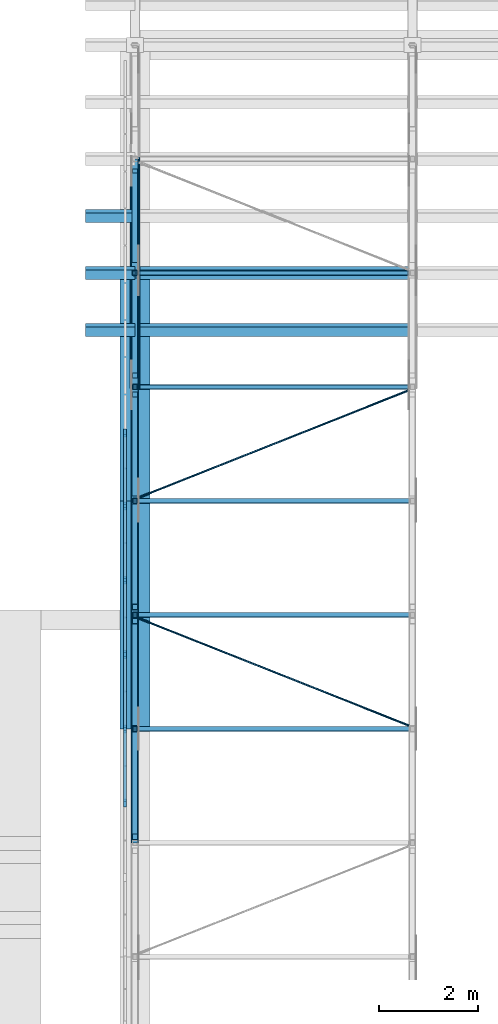
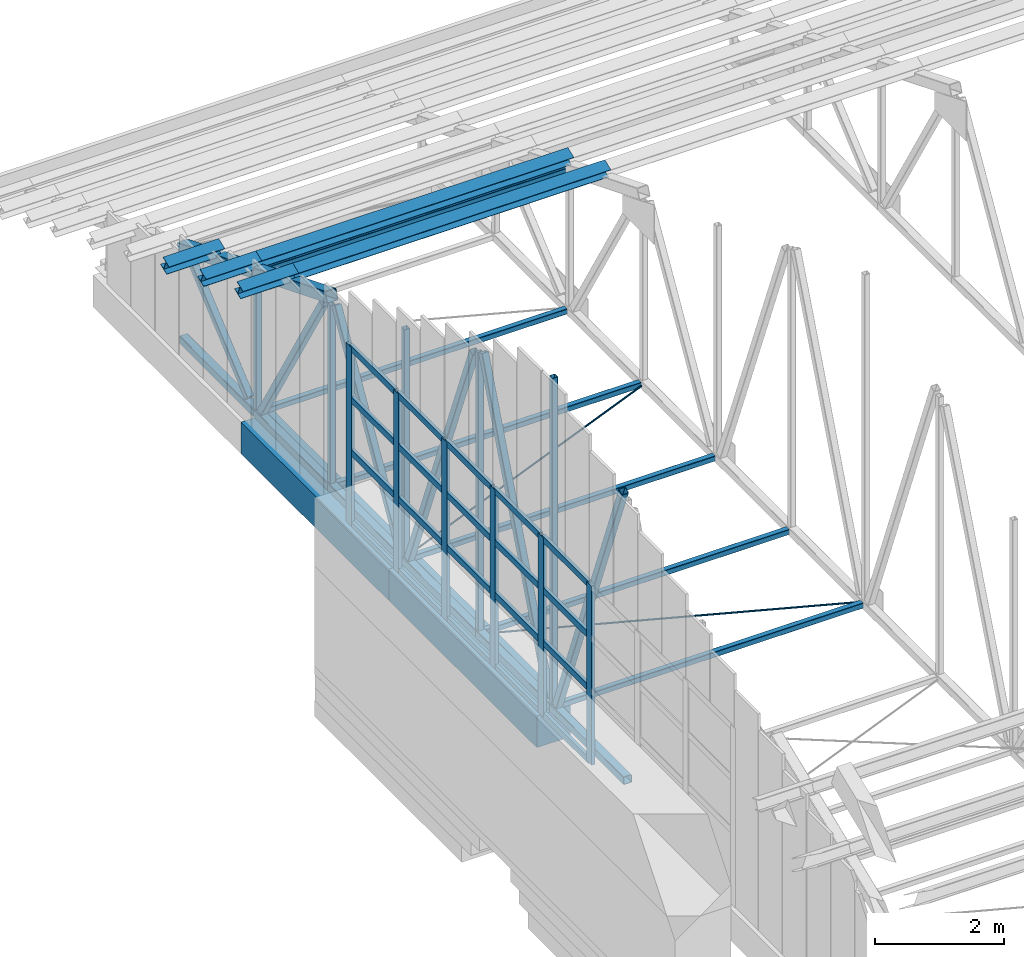
# One storey, part 10 of 71: 58 members, 2 beams, 1 element without a shape of its own.
"""IFC4 building model written with IfcOpenShell, lengths in metres."""

from ifc_helpers import new_model, si_unit, direction, frame, origin, origin_2d, place, context, subcontext, project, spatial, rectangle, hollow_rectangle, circle, i_section, extrude, material, layer, layer_set, material_profile, profile_set, type_object, element, aggregate, save


model = new_model("IFC4")

# Units and contexts
model_context = context("Model", 3, precision=1e-05, world=origin(), true_north=direction((0.0, 1.0)))
body_context = subcontext(model_context, "Body", "Model", "MODEL_VIEW")
ifc_project = project(units=[si_unit("LENGTHUNIT", "METRE"), si_unit("AREAUNIT", "SQUARE_METRE"), si_unit("VOLUMEUNIT", "CUBIC_METRE"), si_unit("PLANEANGLEUNIT", "RADIAN"), si_unit("MASSUNIT", "GRAM", prefix="KILO")], contexts=[model_context])

# Site, building, storey
site_placement = place(None, origin())
site = spatial("IfcSite", under=ifc_project, at=site_placement, CompositionType="ELEMENT")
building_placement = place(site_placement, origin())
building = spatial("IfcBuilding", under=site, at=building_placement, Name="Wasatch Bagh Community Centre", CompositionType="ELEMENT")
storey_placement = place(building_placement, frame((0.0, 0.0, 12.60009765625)))
storey = spatial("IfcBuildingStorey", under=building, at=storey_placement, Name="L03", CompositionType="ELEMENT", Elevation=12.60009765625)

# Members
ifc_material_1 = material(Name="ASTM A500 Grade C steel", Category="steel")
ifc_material_profile_1 = material_profile(ifc_material_1, hollow_rectangle(XDim=0.1015625, YDim=0.1015625, WallThickness=0.005859375, InnerFilletRadius=0.005859375, OuterFilletRadius=0.01171875, at=origin_2d()), Name="HSS4x4x1/4")
ifc_profile_set_1 = profile_set([ifc_material_profile_1], Name="ASTM A500 Grade C steel")
member_type_1 = type_object("IfcMemberType", Name="SH HSS4x4x1/4 post", PredefinedType="POST", material=ifc_profile_set_1)
member_1_placement = place(storey_placement, frame((112.199951171875, 52.0, 0.76220703125), z_axis=(0.0, 0.0, 1.0), x_axis=(1.0, 0.0, 0.0)))
element("IfcMember", 1, at=member_1_placement, inside=storey, type_object=member_type_1, Name="SH.SA1.PS07", PredefinedType="POST", context=body_context, shape_type="SweptSolid", body=[
    extrude(hollow_rectangle(XDim=0.1015625, YDim=0.1015625, WallThickness=0.005859375, InnerFilletRadius=0.005859375, OuterFilletRadius=0.01171875, at=origin_2d()), origin(), (0.0, 0.0, 1.0), 6.18310546875),
])
member_2_placement = place(storey_placement, frame((112.199951171875, 54.300048828125, 0.76220703125), z_axis=(0.0, 0.0, 1.0), x_axis=(1.0, 0.0, 0.0)))
element("IfcMember", 2, at=member_2_placement, inside=storey, type_object=member_type_1, Name="SH.SA1.PS08", PredefinedType="POST", context=body_context, shape_type="SweptSolid", body=[
    extrude(hollow_rectangle(XDim=0.1015625, YDim=0.1015625, WallThickness=0.005859375, InnerFilletRadius=0.005859375, OuterFilletRadius=0.01171875, at=origin_2d()), origin(), (0.0, 0.0, 1.0), 5.25341796875),
])
member_3_placement = place(storey_placement, frame((112.199951171875, 56.60009765625, 0.76220703125), z_axis=(0.0, 0.0, 1.0), x_axis=(1.0, 0.0, 0.0)))
element("IfcMember", 3, at=member_3_placement, inside=storey, type_object=member_type_1, Name="SH.SA1.PS09", PredefinedType="POST", context=body_context, shape_type="SweptSolid", body=[
    extrude(hollow_rectangle(XDim=0.1015625, YDim=0.1015625, WallThickness=0.005859375, InnerFilletRadius=0.005859375, OuterFilletRadius=0.01171875, at=origin_2d()), origin(), (0.0, 0.0, 1.0), 4.316162109375),
])
member_4_placement = place(storey_placement, frame((112.199951171875, 58.89990234375, 0.76220703125), z_axis=(0.0, 0.0, 1.0), x_axis=(1.0, 0.0, 0.0)))
element("IfcMember", 4, at=member_4_placement, inside=storey, type_object=member_type_1, Name="SH.SA1.PS10", PredefinedType="POST", context=body_context, shape_type="SweptSolid", body=[
    extrude(hollow_rectangle(XDim=0.1015625, YDim=0.1015625, WallThickness=0.005859375, InnerFilletRadius=0.005859375, OuterFilletRadius=0.01171875, at=origin_2d()), origin(), (0.0, 0.0, 1.0), 3.37890625),
])
member_5_placement = place(storey_placement, frame((112.199951171875, 61.199951171875, 0.76220703125), z_axis=(0.0, 0.0, 1.0), x_axis=(1.0, 0.0, 0.0)))
element("IfcMember", 5, at=member_5_placement, inside=storey, type_object=member_type_1, Name="SH.SA1.PS11", PredefinedType="POST", context=body_context, shape_type="SweptSolid", body=[
    extrude(hollow_rectangle(XDim=0.1015625, YDim=0.1015625, WallThickness=0.005859375, InnerFilletRadius=0.005859375, OuterFilletRadius=0.01171875, at=origin_2d()), origin(), (0.0, 0.0, 1.0), 2.44189453125),
])
ifc_material_profile_2 = material_profile(ifc_material_1, hollow_rectangle(XDim=0.1015625, YDim=0.1015625, WallThickness=0.005859375, InnerFilletRadius=0.005859375, OuterFilletRadius=0.01171875, at=origin_2d()), Name="HSS4x4x1/4")
ifc_profile_set_2 = profile_set([ifc_material_profile_2], Name="ASTM A500 Grade C steel")
member_type_2 = type_object("IfcMemberType", Name="SH HSS4x4x1/4 strut", PredefinedType="STRUT", material=ifc_profile_set_2)
member_6_placement = place(storey_placement, frame((112.29541015625, 61.199951171875, 3.35888671875), z_axis=(1.0, 0.0, 0.0), x_axis=(0.0, 1.0, 0.0)))
element("IfcMember", 6, at=member_6_placement, inside=storey, type_object=member_type_2, Name="SH.BR.wT.ST11W", PredefinedType="STRUT", context=body_context, shape_type="SweptSolid", body=[
    extrude(hollow_rectangle(XDim=0.1015625, YDim=0.1015625, WallThickness=0.005859375, InnerFilletRadius=0.005859375, OuterFilletRadius=0.01171875, at=origin_2d()), origin(), (0.0, 0.0, 1.0), 5.4091796875),
])
for number, where, z_axis, x_axis, name in (
    (7, (112.27001953125, 52.0, 0.68603515625), (1.0, 0.0, 0.0), (0.0, 1.0, 0.0), "SH.BR.wB.ST07W"),
    (8, (112.27001953125, 54.300048828125, 0.68603515625), (1.0, 0.0, 0.0), (0.0, 1.0, 0.0), "SH.BR.wB.ST07E"),
    (9, (112.27001953125, 56.60009765625, 0.68603515625), (1.0, 0.0, 0.0), (0.0, 1.0, 0.0), "SH.BR.wB.ST09W"),
    (10, (112.27001953125, 58.89990234375, 0.68603515625), (1.0, 0.0, 0.0), (0.0, 1.0, 0.0), "SH.BR.wB.ST09E"),
    (11, (112.27001953125, 61.199951171875, 0.68603515625), (1.0, 0.0, 0.0), (0.0, 1.0, 0.0), "SH.BR.wB.ST11W"),
):
    element("IfcMember", number, at=place(storey_placement, frame(where, z_axis=z_axis, x_axis=x_axis)), inside=storey, type_object=member_type_2, Name=name, PredefinedType="STRUT", context=body_context, shape_type="SweptSolid", body=[
        extrude(hollow_rectangle(XDim=0.1015625, YDim=0.1015625, WallThickness=0.005859375, InnerFilletRadius=0.005859375, OuterFilletRadius=0.01171875, at=origin_2d()), origin(), (0.0, 0.0, 1.0), 5.4599609375),
    ])
ifc_material_profile_3 = material_profile(ifc_material_1, hollow_rectangle(XDim=0.126953125, YDim=0.126953125, WallThickness=0.00732421875, InnerFilletRadius=0.00732421875, OuterFilletRadius=0.0146484375, at=origin_2d()), Name="HSS5x5x5/16")
ifc_profile_set_3 = profile_set([ifc_material_profile_3], Name="ASTM A500 Grade C steel")
member_type_3 = type_object("IfcMemberType", Name="SH HSS5x5x5/16 brace", PredefinedType="BRACE", material=ifc_profile_set_3)
for number, where, z_axis, x_axis, name in (
    (12, (112.199951171875, 51.875732421875, 0.78564453125), (0.0, -0.361168854057, 0.932500433705), (1.0, 0.0, 0.0), "SH.SA1.WB06"),
    (13, (112.199951171875, 52.124267578125, 0.78564453125), (0.0, 0.361168854057, 0.932500433705), (-1.0, 0.0, 0.0), "SH.SA1.WB07"),
):
    element("IfcMember", number, at=place(storey_placement, frame(where, z_axis=z_axis, x_axis=x_axis)), inside=storey, type_object=member_type_3, Name=name, PredefinedType="BRACE", context=body_context, shape_type="SweptSolid", body=[
        extrude(hollow_rectangle(XDim=0.126953125, YDim=0.126953125, WallThickness=0.00732421875, InnerFilletRadius=0.00732421875, OuterFilletRadius=0.0146484375, at=origin_2d()), origin(), (0.0, 0.0, 1.0), 5.682861328125),
    ])
member_7_placement = place(storey_placement, frame((112.199951171875, 56.47509765625, 0.785888671875), z_axis=(0.0, -0.365198017435, 0.930929862053), x_axis=(1.0, 0.0, 0.0)))
element("IfcMember", 14, at=member_7_placement, inside=storey, type_object=member_type_3, Name="SH.SA1.WB08", PredefinedType="BRACE", context=body_context, shape_type="SweptSolid", body=[
    extrude(hollow_rectangle(XDim=0.126953125, YDim=0.126953125, WallThickness=0.00732421875, InnerFilletRadius=0.00732421875, OuterFilletRadius=0.0146484375, at=origin_2d()), origin(), (0.0, 0.0, 1.0), 5.52001953125),
])
member_8_placement = place(storey_placement, frame((112.199951171875, 56.75244140625, 0.794677734375), z_axis=(0.0, 0.50383651599, 0.863799030536), x_axis=(-1.0, 0.0, 0.0)))
element("IfcMember", 15, at=member_8_placement, inside=storey, type_object=member_type_3, Name="SH.SA1.WB09", PredefinedType="BRACE", context=body_context, shape_type="SweptSolid", body=[
    extrude(hollow_rectangle(XDim=0.126953125, YDim=0.126953125, WallThickness=0.00732421875, InnerFilletRadius=0.00732421875, OuterFilletRadius=0.0146484375, at=origin_2d()), origin(), (0.0, 0.0, 1.0), 3.958984375),
])
member_9_placement = place(storey_placement, frame((112.199951171875, 61.046142578125, 0.795166015625), z_axis=(0.0, -0.5113669513, 0.859362462014), x_axis=(1.0, 0.0, 0.0)))
element("IfcMember", 16, at=member_9_placement, inside=storey, type_object=member_type_3, Name="SH.SA1.WB10", PredefinedType="BRACE", context=body_context, shape_type="SweptSolid", body=[
    extrude(hollow_rectangle(XDim=0.126953125, YDim=0.126953125, WallThickness=0.00732421875, InnerFilletRadius=0.00732421875, OuterFilletRadius=0.0146484375, at=origin_2d()), origin(), (0.0, 0.0, 1.0), 3.744873046875),
])
member_10_placement = place(storey_placement, frame((112.199951171875, 61.4501953125, 0.81103515625), z_axis=(0.0, 0.760719100191, 0.649081235751), x_axis=(-1.0, 0.0, 0.0)))
element("IfcMember", 17, at=member_10_placement, inside=storey, type_object=member_type_3, Name="SH.SA1.WB11", PredefinedType="BRACE", context=body_context, shape_type="SweptSolid", body=[
    extrude(hollow_rectangle(XDim=0.126953125, YDim=0.126953125, WallThickness=0.00732421875, InnerFilletRadius=0.00732421875, OuterFilletRadius=0.0146484375, at=origin_2d()), origin(), (0.0, 0.0, 1.0), 2.377197265625),
])
ifc_material_profile_4 = material_profile(ifc_material_1, hollow_rectangle(XDim=0.15234375, YDim=0.15234375, WallThickness=0.0087890625, InnerFilletRadius=0.0087890625, OuterFilletRadius=0.017822265625, at=origin_2d()), Name="HSS6x6x3/8")
ifc_profile_set_4 = profile_set([ifc_material_profile_4], Name="ASTM A500 Grade C steel")
member_type_4 = type_object("IfcMemberType", Name="SH HSS6x6x3/8 chord", PredefinedType="CHORD", material=ifc_profile_set_4)
for number, where, z_axis, x_axis, name in (
    (18, (112.199951171875, 49.699951171875, 0.68603515625), (0.0, 1.0, 0.0), (-1.0, 0.0, 0.0), "SH.SA1.BC06"),
    (19, (112.199951171875, 52.0, 0.68603515625), (0.0, 1.0, 0.0), (-1.0, 0.0, 0.0), "SH.SA1.BC07"),
    (20, (112.199951171875, 54.300048828125, 0.68603515625), (0.0, 1.0, 0.0), (-1.0, 0.0, 0.0), "SH.SA1.BC08"),
):
    element("IfcMember", number, at=place(storey_placement, frame(where, z_axis=z_axis, x_axis=x_axis)), inside=storey, type_object=member_type_4, Name=name, PredefinedType="CHORD", context=body_context, shape_type="SweptSolid", body=[
        extrude(hollow_rectangle(XDim=0.15234375, YDim=0.15234375, WallThickness=0.0087890625, InnerFilletRadius=0.0087890625, OuterFilletRadius=0.017822265625, at=origin_2d()), origin(), (0.0, 0.0, 1.0), 2.300048828125),
    ])
member_11_placement = place(storey_placement, frame((112.199951171875, 56.60009765625, 0.68603515625), z_axis=(0.0, 1.0, 0.0), x_axis=(-1.0, 0.0, 0.0)))
element("IfcMember", 21, at=member_11_placement, inside=storey, type_object=member_type_4, Name="SH.SA1.BC09", PredefinedType="CHORD", context=body_context, shape_type="SweptSolid", body=[
    extrude(hollow_rectangle(XDim=0.15234375, YDim=0.15234375, WallThickness=0.0087890625, InnerFilletRadius=0.0087890625, OuterFilletRadius=0.017822265625, at=origin_2d()), origin(), (0.0, 0.0, 1.0), 2.2998046875),
])
for number, where, z_axis, x_axis, name in (
    (22, (112.199951171875, 58.89990234375, 0.68603515625), (0.0, 1.0, 0.0), (-1.0, 0.0, 0.0), "SH.SA1.BC10"),
    (23, (112.199951171875, 61.199951171875, 0.68603515625), (0.0, 1.0, 0.0), (-1.0, 0.0, 0.0), "SH.SA1.BC11"),
):
    element("IfcMember", number, at=place(storey_placement, frame(where, z_axis=z_axis, x_axis=x_axis)), inside=storey, type_object=member_type_4, Name=name, PredefinedType="CHORD", context=body_context, shape_type="SweptSolid", body=[
        extrude(hollow_rectangle(XDim=0.15234375, YDim=0.15234375, WallThickness=0.0087890625, InnerFilletRadius=0.0087890625, OuterFilletRadius=0.017822265625, at=origin_2d()), origin(), (0.0, 0.0, 1.0), 2.300048828125),
    ])
ifc_material_profile_5 = material_profile(ifc_material_1, hollow_rectangle(XDim=0.203125, YDim=0.203125, WallThickness=0.01171875, InnerFilletRadius=0.01171875, OuterFilletRadius=0.023681640625, at=origin_2d()), Name="HSS8x8x1/2")
ifc_profile_set_5 = profile_set([ifc_material_profile_5], Name="ASTM A500 Grade C steel")
member_type_5 = type_object("IfcMemberType", Name="SH HSS8x8x1/2 chord", PredefinedType="CHORD", material=ifc_profile_set_5)
member_12_placement = place(storey_placement, frame((112.199951171875, 58.900390625, 4.287841796875), z_axis=(0.0, 0.92720830339, -0.374546074769), x_axis=(-1.0, 0.0, 0.0)))
element("IfcMember", 24, at=member_12_placement, inside=storey, type_object=member_type_5, Name="SH.SA1.TC11", PredefinedType="CHORD", context=body_context, shape_type="SweptSolid", body=[
    extrude(hollow_rectangle(XDim=0.203125, YDim=0.203125, WallThickness=0.01171875, InnerFilletRadius=0.01171875, OuterFilletRadius=0.023681640625, at=origin_2d()), origin(), (0.0, 0.0, 1.0), 2.4794921875),
])
member_13_placement = place(storey_placement, frame((112.199951171875, 61.200439453125, 3.358642578125), z_axis=(0.0, 0.927174106992, -0.374630718605), x_axis=(-1.0, 0.0, 0.0)))
element("IfcMember", 25, at=member_13_placement, inside=storey, type_object=member_type_5, Name="SH.SA1.TC12", PredefinedType="CHORD", context=body_context, shape_type="SweptSolid", body=[
    extrude(hollow_rectangle(XDim=0.203125, YDim=0.203125, WallThickness=0.01171875, InnerFilletRadius=0.01171875, OuterFilletRadius=0.023681640625, at=origin_2d()), origin(), (0.0, 0.0, 1.0), 2.479736328125),
])

# Beams
ifc_material_2 = material(Name="Concrete C40", Category="concrete")
ifc_material_profile_6 = material_profile(ifc_material_2, rectangle(XDim=0.60009765625, YDim=0.60009765625, at=origin_2d()), Name="RC 600x600")
ifc_profile_set_6 = profile_set([ifc_material_profile_6], Name="Concrete C40")
beam_type = type_object("IfcBeamType", Name="SH RC 600x600 beam", PredefinedType="BEAM", material=ifc_profile_set_6)
beam_1_placement = place(storey_placement, frame((112.199951171875, 52.0, 0.2998046875), z_axis=(0.0, 1.0, 0.0), x_axis=(-1.0, 0.0, 0.0)))
element("IfcBeam", 26, at=beam_1_placement, inside=storey, type_object=beam_type, Name="SH.beam.L03.ring16", PredefinedType="BEAM", context=body_context, shape_type="SweptSolid", body=[
    extrude(rectangle(XDim=0.60009765625, YDim=0.60009765625, at=origin_2d()), origin(), (0.0, 0.0, 1.0), 4.60009765625),
])
beam_2_placement = place(storey_placement, frame((112.199951171875, 56.60009765625, 0.2998046875), z_axis=(0.0, 1.0, 0.0), x_axis=(-1.0, 0.0, 0.0)))
element("IfcBeam", 27, at=beam_2_placement, inside=storey, type_object=beam_type, Name="SH.beam.L03.ring17", PredefinedType="BEAM", context=body_context, shape_type="SweptSolid", body=[
    extrude(rectangle(XDim=0.60009765625, YDim=0.60009765625, at=origin_2d()), origin(), (0.0, 0.0, 1.0), 4.599853515625),
])

# Members
ifc_material_3 = material(Name="ASTM A572 Grade 50 steel", Category="steel")
ifc_material_profile_7 = material_profile(ifc_material_3, circle(Radius=0.01611328125, at=origin_2d()), Name="ROD 32")
ifc_profile_set_7 = profile_set([ifc_material_profile_7], Name="ASTM A572 Grade 50 steel")
member_type_6 = type_object("IfcMemberType", Name="SH ROD 32 brace", PredefinedType="BRACE", material=ifc_profile_set_7)
member_14_placement = place(storey_placement, frame((112.27587890625, 54.232177734375, 0.68603515625), z_axis=(0.929355805049, -0.369185302553, 0.0), x_axis=(0.369185302553, 0.929355805049, 0.0)))
element("IfcMember", 28, at=member_14_placement, inside=storey, type_object=member_type_6, Name="SH.BR.wB.DG07", PredefinedType="BRACE", context=body_context, shape_type="SweptSolid", body=[
    extrude(circle(Radius=0.01611328125, at=origin_2d()), origin(), (0.0, 0.0, 1.0), 5.8623046875),
])
member_15_placement = place(storey_placement, frame((112.27587890625, 56.667724609375, 0.68603515625), z_axis=(0.929341515894, 0.369221270833, 0.0), x_axis=(-0.369221270833, 0.929341515894, 0.0)))
element("IfcMember", 29, at=member_15_placement, inside=storey, type_object=member_type_6, Name="SH.BR.wB.DG09", PredefinedType="BRACE", context=body_context, shape_type="SweptSolid", body=[
    extrude(circle(Radius=0.01611328125, at=origin_2d()), origin(), (0.0, 0.0, 1.0), 5.862548828125),
])
ifc_material_4 = material(Name="ASTM A992 Grade 50 steel", Category="steel")
ifc_material_profile_8 = material_profile(ifc_material_4, i_section(OverallWidth=0.203125, OverallDepth=0.203125, WebThickness=0.00732421875, FlangeThickness=0.010986328125, at=origin_2d()), Name="W8x31")
ifc_profile_set_8 = profile_set([ifc_material_profile_8], Name="ASTM A992 Grade 50 steel")
member_type_7 = type_object("IfcMemberType", Name="SH W8x31 purlin", PredefinedType="PURLIN", material=ifc_profile_set_8)
for number, where, z_axis, x_axis, name in (
    (30, (112.199951171875, 60.050048828125, 4.042724609375), (1.0, 0.0, 0.0), (0.0, 0.927183854567, 0.374606593416), "SH.PUR.b1.PU23"),
    (31, (112.199951171875, 61.199951171875, 3.577880859375), (1.0, 0.0, 0.0), (0.0, 0.927183854567, 0.374606593416), "SH.PUR.b1.PU24"),
):
    element("IfcMember", number, at=place(storey_placement, frame(where, z_axis=z_axis, x_axis=x_axis)), inside=storey, type_object=member_type_7, Name=name, PredefinedType="PURLIN", context=body_context, shape_type="SweptSolid", body=[
        extrude(i_section(OverallWidth=0.203125, OverallDepth=0.203125, WebThickness=0.00732421875, FlangeThickness=0.010986328125, at=origin_2d()), origin(), (0.0, 0.0, 1.0), 5.60009765625),
    ])
for number, where, z_axis, x_axis, name in (
    (32, (111.199951171875, 60.050048828125, 4.042724609375), (1.0, 0.0, 0.0), (0.0, 0.927183854567, 0.374606593416), "SH.PUR.v1.PU23"),
    (33, (111.199951171875, 61.199951171875, 3.577880859375), (1.0, 0.0, 0.0), (0.0, 0.927183854567, 0.374606593416), "SH.PUR.v1.PU24"),
    (34, (111.199951171875, 62.35009765625, 3.11328125), (1.0, 0.0, 0.0), (0.0, 0.927183854567, 0.374606593416), "SH.PUR.v1.PU25"),
):
    element("IfcMember", number, at=place(storey_placement, frame(where, z_axis=z_axis, x_axis=x_axis)), inside=storey, type_object=member_type_7, Name=name, PredefinedType="PURLIN", context=body_context, shape_type="SweptSolid", body=[
        extrude(i_section(OverallWidth=0.203125, OverallDepth=0.203125, WebThickness=0.00732421875, FlangeThickness=0.010986328125, at=origin_2d()), origin(), (0.0, 0.0, 1.0), 1.0),
    ])

# Curtain wall, members
ifc_material_5 = material(Name="Aluminium alloy 6063-T6", Category="aluminium")
ifc_layer = layer(ifc_material_5, 0.10009765625)
ifc_layer_set = layer_set([ifc_layer], Name="Aluminium alloy 6063-T6")
curtain_wall_type = type_object("IfcCurtainWallType", Name="SH-CW2", PredefinedType="NOTDEFINED", material=ifc_layer_set)
curtain_wall_placement = place(storey_placement, origin())
curtain_wall = element("IfcCurtainWall", 35, at=curtain_wall_placement, inside=storey, type_object=curtain_wall_type, Name="Curtain wall SH-CW2", PredefinedType="NOTDEFINED")
ifc_material_profile_9 = material_profile(ifc_material_5, rectangle(XDim=0.06005859375, YDim=0.159912109375, at=origin_2d()), Name="AL 60x160")
ifc_profile_set_9 = profile_set([ifc_material_profile_9], Name="Aluminium alloy 6063-T6")
member_type_8 = type_object("IfcMemberType", Name="SH-CW2 mullion", PredefinedType="MULLION", material=ifc_profile_set_9)
member_16_placement = place(storey_placement, frame((112.0, 50.5, 0.599853515625), z_axis=(0.0, 0.0, 1.0), x_axis=(-1.0, 0.0, 0.0)))
member_16 = element("IfcMember", 36, at=member_16_placement, type_object=member_type_8, Name="SH-CW2 mullion 4", PredefinedType="MULLION", context=body_context, shape_type="SweptSolid", body=[
    extrude(rectangle(XDim=0.06005859375, YDim=0.159912109375, at=origin_2d()), origin(), (0.0, 0.0, 1.0), 3.400146484375),
])
member_17_placement = place(storey_placement, frame((112.0, 52.0, 0.599853515625), z_axis=(0.0, 0.0, 1.0), x_axis=(-1.0, 0.0, 0.0)))
member_17 = element("IfcMember", 37, at=member_17_placement, type_object=member_type_8, Name="SH-CW2 mullion 5", PredefinedType="MULLION", context=body_context, shape_type="SweptSolid", body=[
    extrude(rectangle(XDim=0.06005859375, YDim=0.159912109375, at=origin_2d()), origin(), (0.0, 0.0, 1.0), 3.400146484375),
])
member_18_placement = place(storey_placement, frame((112.0, 53.5, 0.599853515625), z_axis=(0.0, 0.0, 1.0), x_axis=(-1.0, 0.0, 0.0)))
member_18 = element("IfcMember", 38, at=member_18_placement, type_object=member_type_8, Name="SH-CW2 mullion 6", PredefinedType="MULLION", context=body_context, shape_type="SweptSolid", body=[
    extrude(rectangle(XDim=0.06005859375, YDim=0.159912109375, at=origin_2d()), origin(), (0.0, 0.0, 1.0), 3.400146484375),
])
member_19_placement = place(storey_placement, frame((112.0, 55.0, 0.599853515625), z_axis=(0.0, 0.0, 1.0), x_axis=(-1.0, 0.0, 0.0)))
member_19 = element("IfcMember", 39, at=member_19_placement, type_object=member_type_8, Name="SH-CW2 mullion 7", PredefinedType="MULLION", context=body_context, shape_type="SweptSolid", body=[
    extrude(rectangle(XDim=0.06005859375, YDim=0.159912109375, at=origin_2d()), origin(), (0.0, 0.0, 1.0), 3.400146484375),
])
member_20_placement = place(storey_placement, frame((112.0, 56.5, 0.599853515625), z_axis=(0.0, 0.0, 1.0), x_axis=(-1.0, 0.0, 0.0)))
member_20 = element("IfcMember", 40, at=member_20_placement, type_object=member_type_8, Name="SH-CW2 mullion 8", PredefinedType="MULLION", context=body_context, shape_type="SweptSolid", body=[
    extrude(rectangle(XDim=0.06005859375, YDim=0.159912109375, at=origin_2d()), origin(), (0.0, 0.0, 1.0), 3.400146484375),
])
member_21_placement = place(storey_placement, frame((112.0, 57.969970703125, 0.599853515625), z_axis=(0.0, 0.0, 1.0), x_axis=(-1.0, 0.0, 0.0)))
member_21 = element("IfcMember", 41, at=member_21_placement, type_object=member_type_8, Name="SH-CW2 mullion 9", PredefinedType="MULLION", context=body_context, shape_type="SweptSolid", body=[
    extrude(rectangle(XDim=0.06005859375, YDim=0.159912109375, at=origin_2d()), origin(), (0.0, 0.0, 1.0), 3.400146484375),
])
ifc_material_profile_10 = material_profile(ifc_material_5, rectangle(XDim=0.06005859375, YDim=0.1201171875, at=origin_2d()), Name="AL 60x120")
ifc_profile_set_10 = profile_set([ifc_material_profile_10], Name="Aluminium alloy 6063-T6")
member_type_9 = type_object("IfcMemberType", Name="SH-CW2 transom", PredefinedType="USERDEFINED", material=ifc_profile_set_10)
member_22_placement = place(storey_placement, frame((112.0, 50.530029296875, 0.6298828125), z_axis=(0.0, 1.0, 0.0), x_axis=(-1.0, 0.0, 0.0)))
member_22 = element("IfcMember", 42, at=member_22_placement, type_object=member_type_9, Name="SH-CW2 transom 4.1", ObjectType="TRANSOM", PredefinedType="USERDEFINED", context=body_context, shape_type="SweptSolid", body=[
    extrude(rectangle(XDim=0.06005859375, YDim=0.1201171875, at=origin_2d()), origin(), (0.0, 0.0, 1.0), 1.43994140625),
])
member_23_placement = place(storey_placement, frame((112.0, 50.530029296875, 2.0), z_axis=(0.0, 1.0, 0.0), x_axis=(-1.0, 0.0, 0.0)))
member_23 = element("IfcMember", 43, at=member_23_placement, type_object=member_type_9, Name="SH-CW2 transom 4.2", ObjectType="TRANSOM", PredefinedType="USERDEFINED", context=body_context, shape_type="SweptSolid", body=[
    extrude(rectangle(XDim=0.06005859375, YDim=0.1201171875, at=origin_2d()), origin(), (0.0, 0.0, 1.0), 1.43994140625),
])
member_24_placement = place(storey_placement, frame((112.0, 50.530029296875, 3.0), z_axis=(0.0, 1.0, 0.0), x_axis=(-1.0, 0.0, 0.0)))
member_24 = element("IfcMember", 44, at=member_24_placement, type_object=member_type_9, Name="SH-CW2 transom 4.3", ObjectType="TRANSOM", PredefinedType="USERDEFINED", context=body_context, shape_type="SweptSolid", body=[
    extrude(rectangle(XDim=0.06005859375, YDim=0.1201171875, at=origin_2d()), origin(), (0.0, 0.0, 1.0), 1.43994140625),
])
member_25_placement = place(storey_placement, frame((112.0, 50.530029296875, 3.969970703125), z_axis=(0.0, 1.0, 0.0), x_axis=(-1.0, 0.0, 0.0)))
member_25 = element("IfcMember", 45, at=member_25_placement, type_object=member_type_9, Name="SH-CW2 transom 4.4", ObjectType="TRANSOM", PredefinedType="USERDEFINED", context=body_context, shape_type="SweptSolid", body=[
    extrude(rectangle(XDim=0.06005859375, YDim=0.1201171875, at=origin_2d()), origin(), (0.0, 0.0, 1.0), 1.43994140625),
])
member_26_placement = place(storey_placement, frame((112.0, 52.030029296875, 0.6298828125), z_axis=(0.0, 1.0, 0.0), x_axis=(-1.0, 0.0, 0.0)))
member_26 = element("IfcMember", 46, at=member_26_placement, type_object=member_type_9, Name="SH-CW2 transom 5.1", ObjectType="TRANSOM", PredefinedType="USERDEFINED", context=body_context, shape_type="SweptSolid", body=[
    extrude(rectangle(XDim=0.06005859375, YDim=0.1201171875, at=origin_2d()), origin(), (0.0, 0.0, 1.0), 1.43994140625),
])
member_27_placement = place(storey_placement, frame((112.0, 52.030029296875, 2.0), z_axis=(0.0, 1.0, 0.0), x_axis=(-1.0, 0.0, 0.0)))
member_27 = element("IfcMember", 47, at=member_27_placement, type_object=member_type_9, Name="SH-CW2 transom 5.2", ObjectType="TRANSOM", PredefinedType="USERDEFINED", context=body_context, shape_type="SweptSolid", body=[
    extrude(rectangle(XDim=0.06005859375, YDim=0.1201171875, at=origin_2d()), origin(), (0.0, 0.0, 1.0), 1.43994140625),
])
member_28_placement = place(storey_placement, frame((112.0, 52.030029296875, 3.0), z_axis=(0.0, 1.0, 0.0), x_axis=(-1.0, 0.0, 0.0)))
member_28 = element("IfcMember", 48, at=member_28_placement, type_object=member_type_9, Name="SH-CW2 transom 5.3", ObjectType="TRANSOM", PredefinedType="USERDEFINED", context=body_context, shape_type="SweptSolid", body=[
    extrude(rectangle(XDim=0.06005859375, YDim=0.1201171875, at=origin_2d()), origin(), (0.0, 0.0, 1.0), 1.43994140625),
])
member_29_placement = place(storey_placement, frame((112.0, 52.030029296875, 3.969970703125), z_axis=(0.0, 1.0, 0.0), x_axis=(-1.0, 0.0, 0.0)))
member_29 = element("IfcMember", 49, at=member_29_placement, type_object=member_type_9, Name="SH-CW2 transom 5.4", ObjectType="TRANSOM", PredefinedType="USERDEFINED", context=body_context, shape_type="SweptSolid", body=[
    extrude(rectangle(XDim=0.06005859375, YDim=0.1201171875, at=origin_2d()), origin(), (0.0, 0.0, 1.0), 1.43994140625),
])
member_30_placement = place(storey_placement, frame((112.0, 53.530029296875, 0.6298828125), z_axis=(0.0, 1.0, 0.0), x_axis=(-1.0, 0.0, 0.0)))
member_30 = element("IfcMember", 50, at=member_30_placement, type_object=member_type_9, Name="SH-CW2 transom 6.1", ObjectType="TRANSOM", PredefinedType="USERDEFINED", context=body_context, shape_type="SweptSolid", body=[
    extrude(rectangle(XDim=0.06005859375, YDim=0.1201171875, at=origin_2d()), origin(), (0.0, 0.0, 1.0), 1.43994140625),
])
member_31_placement = place(storey_placement, frame((112.0, 53.530029296875, 2.0), z_axis=(0.0, 1.0, 0.0), x_axis=(-1.0, 0.0, 0.0)))
member_31 = element("IfcMember", 51, at=member_31_placement, type_object=member_type_9, Name="SH-CW2 transom 6.2", ObjectType="TRANSOM", PredefinedType="USERDEFINED", context=body_context, shape_type="SweptSolid", body=[
    extrude(rectangle(XDim=0.06005859375, YDim=0.1201171875, at=origin_2d()), origin(), (0.0, 0.0, 1.0), 1.43994140625),
])
member_32_placement = place(storey_placement, frame((112.0, 53.530029296875, 3.0), z_axis=(0.0, 1.0, 0.0), x_axis=(-1.0, 0.0, 0.0)))
member_32 = element("IfcMember", 52, at=member_32_placement, type_object=member_type_9, Name="SH-CW2 transom 6.3", ObjectType="TRANSOM", PredefinedType="USERDEFINED", context=body_context, shape_type="SweptSolid", body=[
    extrude(rectangle(XDim=0.06005859375, YDim=0.1201171875, at=origin_2d()), origin(), (0.0, 0.0, 1.0), 1.43994140625),
])
member_33_placement = place(storey_placement, frame((112.0, 53.530029296875, 3.969970703125), z_axis=(0.0, 1.0, 0.0), x_axis=(-1.0, 0.0, 0.0)))
member_33 = element("IfcMember", 53, at=member_33_placement, type_object=member_type_9, Name="SH-CW2 transom 6.4", ObjectType="TRANSOM", PredefinedType="USERDEFINED", context=body_context, shape_type="SweptSolid", body=[
    extrude(rectangle(XDim=0.06005859375, YDim=0.1201171875, at=origin_2d()), origin(), (0.0, 0.0, 1.0), 1.43994140625),
])
member_34_placement = place(storey_placement, frame((112.0, 55.030029296875, 0.6298828125), z_axis=(0.0, 1.0, 0.0), x_axis=(-1.0, 0.0, 0.0)))
member_34 = element("IfcMember", 54, at=member_34_placement, type_object=member_type_9, Name="SH-CW2 transom 7.1", ObjectType="TRANSOM", PredefinedType="USERDEFINED", context=body_context, shape_type="SweptSolid", body=[
    extrude(rectangle(XDim=0.06005859375, YDim=0.1201171875, at=origin_2d()), origin(), (0.0, 0.0, 1.0), 1.43994140625),
])
member_35_placement = place(storey_placement, frame((112.0, 55.030029296875, 2.0), z_axis=(0.0, 1.0, 0.0), x_axis=(-1.0, 0.0, 0.0)))
member_35 = element("IfcMember", 55, at=member_35_placement, type_object=member_type_9, Name="SH-CW2 transom 7.2", ObjectType="TRANSOM", PredefinedType="USERDEFINED", context=body_context, shape_type="SweptSolid", body=[
    extrude(rectangle(XDim=0.06005859375, YDim=0.1201171875, at=origin_2d()), origin(), (0.0, 0.0, 1.0), 1.43994140625),
])
member_36_placement = place(storey_placement, frame((112.0, 55.030029296875, 3.0), z_axis=(0.0, 1.0, 0.0), x_axis=(-1.0, 0.0, 0.0)))
member_36 = element("IfcMember", 56, at=member_36_placement, type_object=member_type_9, Name="SH-CW2 transom 7.3", ObjectType="TRANSOM", PredefinedType="USERDEFINED", context=body_context, shape_type="SweptSolid", body=[
    extrude(rectangle(XDim=0.06005859375, YDim=0.1201171875, at=origin_2d()), origin(), (0.0, 0.0, 1.0), 1.43994140625),
])
member_37_placement = place(storey_placement, frame((112.0, 55.030029296875, 3.969970703125), z_axis=(0.0, 1.0, 0.0), x_axis=(-1.0, 0.0, 0.0)))
member_37 = element("IfcMember", 57, at=member_37_placement, type_object=member_type_9, Name="SH-CW2 transom 7.4", ObjectType="TRANSOM", PredefinedType="USERDEFINED", context=body_context, shape_type="SweptSolid", body=[
    extrude(rectangle(XDim=0.06005859375, YDim=0.1201171875, at=origin_2d()), origin(), (0.0, 0.0, 1.0), 1.43994140625),
])
member_38_placement = place(storey_placement, frame((112.0, 56.530029296875, 0.6298828125), z_axis=(0.0, 1.0, 0.0), x_axis=(-1.0, 0.0, 0.0)))
member_38 = element("IfcMember", 58, at=member_38_placement, type_object=member_type_9, Name="SH-CW2 transom 8.1", ObjectType="TRANSOM", PredefinedType="USERDEFINED", context=body_context, shape_type="SweptSolid", body=[
    extrude(rectangle(XDim=0.06005859375, YDim=0.1201171875, at=origin_2d()), origin(), (0.0, 0.0, 1.0), 1.409912109375),
])
member_39_placement = place(storey_placement, frame((112.0, 56.530029296875, 2.0), z_axis=(0.0, 1.0, 0.0), x_axis=(-1.0, 0.0, 0.0)))
member_39 = element("IfcMember", 59, at=member_39_placement, type_object=member_type_9, Name="SH-CW2 transom 8.2", ObjectType="TRANSOM", PredefinedType="USERDEFINED", context=body_context, shape_type="SweptSolid", body=[
    extrude(rectangle(XDim=0.06005859375, YDim=0.1201171875, at=origin_2d()), origin(), (0.0, 0.0, 1.0), 1.409912109375),
])
member_40_placement = place(storey_placement, frame((112.0, 56.530029296875, 3.0), z_axis=(0.0, 1.0, 0.0), x_axis=(-1.0, 0.0, 0.0)))
member_40 = element("IfcMember", 60, at=member_40_placement, type_object=member_type_9, Name="SH-CW2 transom 8.3", ObjectType="TRANSOM", PredefinedType="USERDEFINED", context=body_context, shape_type="SweptSolid", body=[
    extrude(rectangle(XDim=0.06005859375, YDim=0.1201171875, at=origin_2d()), origin(), (0.0, 0.0, 1.0), 1.409912109375),
])
member_41_placement = place(storey_placement, frame((112.0, 56.530029296875, 3.969970703125), z_axis=(0.0, 1.0, 0.0), x_axis=(-1.0, 0.0, 0.0)))
member_41 = element("IfcMember", 61, at=member_41_placement, type_object=member_type_9, Name="SH-CW2 transom 8.4", ObjectType="TRANSOM", PredefinedType="USERDEFINED", context=body_context, shape_type="SweptSolid", body=[
    extrude(rectangle(XDim=0.06005859375, YDim=0.1201171875, at=origin_2d()), origin(), (0.0, 0.0, 1.0), 1.409912109375),
])
aggregate(curtain_wall, [member_16, member_17, member_18, member_19, member_20, member_21, member_22, member_23, member_24, member_25, member_26, member_27, member_28, member_29, member_30, member_31, member_32, member_33, member_34, member_35, member_36, member_37, member_38, member_39, member_40, member_41])

save(model, "model.ifc")
